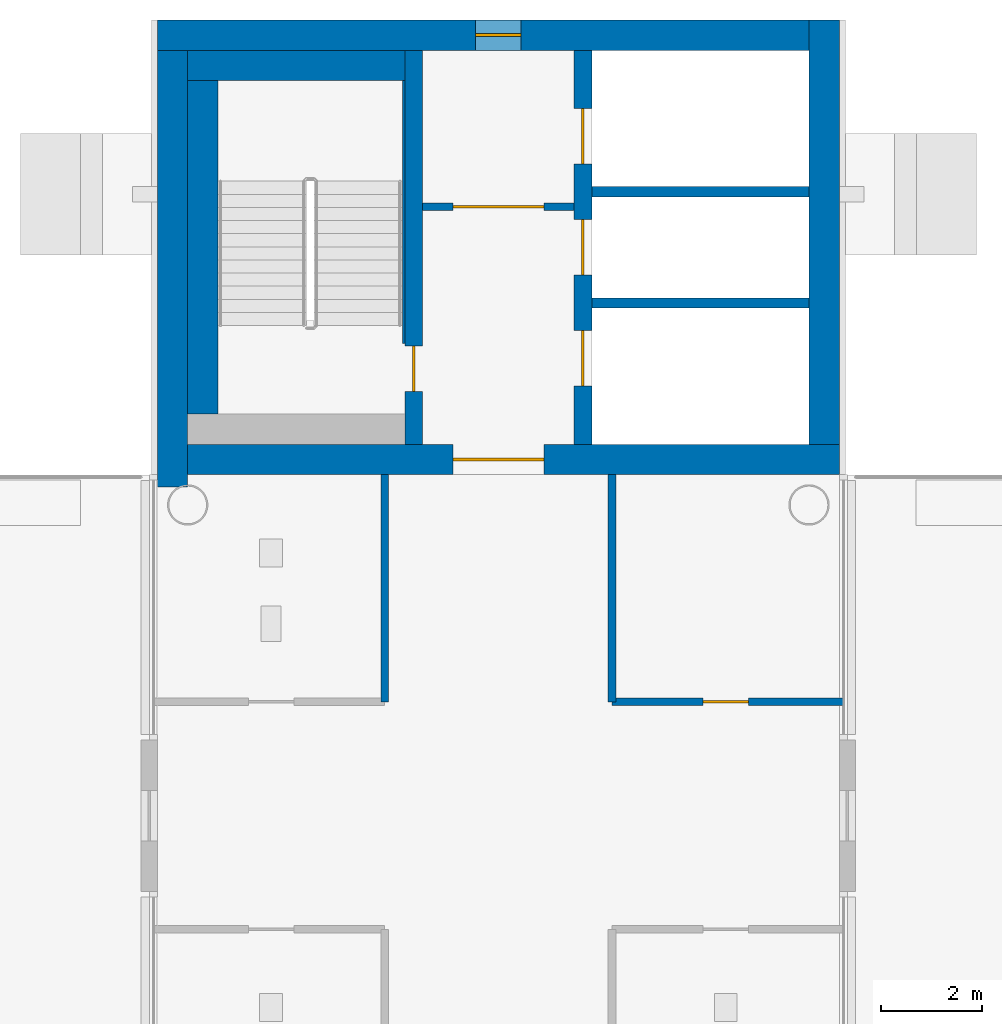
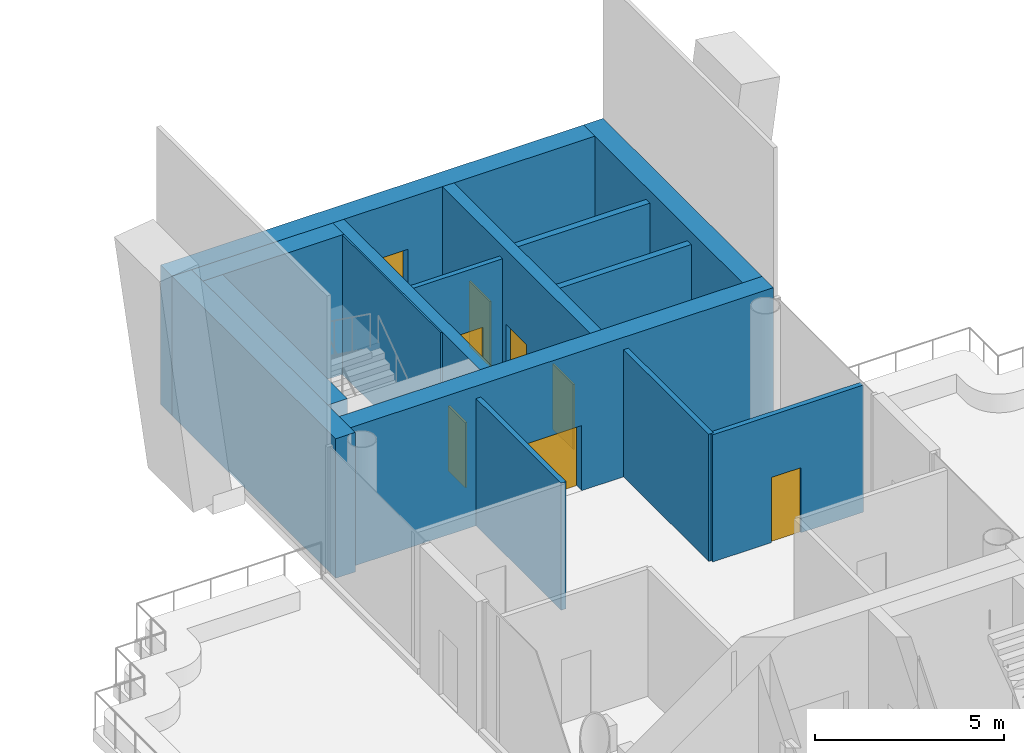
# One storey, part 9 of 17: 15 walls, 7 doors, 1 window, 8 openings.
"""IFC4 building model written with IfcOpenShell, lengths in metres."""

from ifc_helpers import new_model, si_unit, direction, frame, frame_2d, origin, place, context, subcontext, project, spatial, rectangle, extrude, material, layer, layer_set, type_object, element, fill, save


model = new_model("IFC4")

# Units and contexts
model_context = context("Model", 3, precision=1e-05, world=origin(), true_north=direction((0.0, 1.0)))
body_context = subcontext(model_context, "Body", "Model", "MODEL_VIEW")
ifc_project = project(units=[si_unit("LENGTHUNIT", "METRE"), si_unit("AREAUNIT", "SQUARE_METRE"), si_unit("VOLUMEUNIT", "CUBIC_METRE"), si_unit("PLANEANGLEUNIT", "RADIAN"), si_unit("MASSUNIT", "GRAM", prefix="KILO")], contexts=[model_context])

# Site, building, storey
site_placement = place(None, origin())
site = spatial("IfcSite", under=ifc_project, at=site_placement, CompositionType="ELEMENT")
building_placement = place(site_placement, origin())
building = spatial("IfcBuilding", under=site, at=building_placement, Name="Ipe Terrace Towers", CompositionType="ELEMENT")
storey_placement = place(building_placement, frame((0.0, 0.0, 246.89990234375)))
storey = spatial("IfcBuildingStorey", under=building, at=storey_placement, Name="L68", CompositionType="ELEMENT", Elevation=246.89990234375)

# Wall, opening, door
ifc_material_1 = material(Name="Gypsum board partition", Category="plasterboard")
ifc_layer_1 = layer(ifc_material_1, 0.14990234375)
ifc_layer_set_1 = layer_set([ifc_layer_1], Name="Gypsum board partition 150 mm")
wall_type_1 = type_object("IfcWallType", Name="Gypsum board partition 150 mm", PredefinedType="PARTITIONING", material=ifc_layer_set_1)
wall_1_placement = place(storey_placement, frame((37.5, 12.050048828125, 0.0), z_axis=(0.0, 0.0, 1.0), x_axis=(-1.0, 0.0, 0.0)))
wall_1 = element("IfcWall", 1, at=wall_1_placement, inside=storey, type_object=wall_type_1, Name="Gypsum board partition T2 L68 t2c1-lobby-wall", PredefinedType="PARTITIONING", context=body_context, shape_type="SweptSolid", body=[
    extrude(rectangle(XDim=3.0, YDim=0.14990234375, at=frame_2d((1.5, 0.0))), origin(), (0.0, 0.0, 1.0), 4.10009765625),
])
opening_1_placement = place(wall_1_placement, frame((0.60009765625, 0.0, 0.0)))
opening_1 = element("IfcOpeningElement", 2, at=opening_1_placement, cuts=wall_1, Name="Opening T2C1-VD", PredefinedType="OPENING", context=body_context, shape_type="SweptSolid", body=[
    extrude(rectangle(XDim=1.800048828125, YDim=2.10009765625, at=frame_2d((0.89990234375, 1.050048828125))), frame((0.0, 0.0849609375, 0.0), z_axis=(0.0, -1.0, 0.0), x_axis=(1.0, 0.0, 0.0)), (0.0, 0.0, 1.0), 0.169921875),
])
ifc_material_2 = material(Name="Fire-rated timber door leaf", Category="wood")
door_type_1 = type_object("IfcDoorType", Name="Lobby door 1800 x 2100 FD60", OperationType="NOTDEFINED", PredefinedType="DOOR", material=ifc_material_2)
door_1_placement = place(opening_1_placement, origin())
door_1 = element("IfcDoor", 3, at=door_1_placement, inside=storey, type_object=door_type_1, Name="Lobby door T2C1-VD", OperationType="SINGLE_SWING_LEFT", OverallHeight=2.10009765625, OverallWidth=1.800048828125, PredefinedType="DOOR", context=body_context, shape_type="SweptSolid", body=[
    extrude(rectangle(XDim=1.800048828125, YDim=2.10009765625, at=frame_2d((0.89990234375, 1.050048828125))), frame((0.0, 0.02490234375, 0.0), z_axis=(0.0, -1.0, 0.0), x_axis=(1.0, 0.0, 0.0)), (0.0, 0.0, 1.0), 0.050048828125),
])
fill(opening_1, door_1)

# Wall
wall_2_placement = place(storey_placement, frame((33.75, 2.25, 0.0), z_axis=(0.0, 0.0, 1.0), x_axis=(0.0, 1.0, 0.0)))
element("IfcWall", 4, at=wall_2_placement, inside=storey, type_object=wall_type_1, Name="Gypsum board partition T2 L68 sp-cne-y", PredefinedType="PARTITIONING", context=body_context, shape_type="SweptSolid", body=[
    extrude(rectangle(XDim=4.5, YDim=0.14990234375, at=frame_2d((2.25, 0.0))), origin(), (0.0, 0.0, 1.0), 4.10009765625),
])

# Wall, opening, door
wall_3_placement = place(storey_placement, frame((42.85009765625, 2.25, 0.0), z_axis=(0.0, 0.0, 1.0), x_axis=(-1.0, 0.0, 0.0)))
wall_3 = element("IfcWall", 5, at=wall_3_placement, inside=storey, type_object=wall_type_1, Name="Gypsum board partition T2 L68 sp-cse-x", PredefinedType="PARTITIONING", context=body_context, shape_type="SweptSolid", body=[
    extrude(rectangle(XDim=4.60009765625, YDim=0.14990234375, at=frame_2d((2.300048828125, 0.0))), origin(), (0.0, 0.0, 1.0), 4.10009765625),
])
opening_2_placement = place(wall_3_placement, frame((1.89990234375, 0.0, 0.0)))
opening_2 = element("IfcOpeningElement", 6, at=opening_2_placement, cuts=wall_3, Name="Opening T2-SP-CSE", PredefinedType="OPENING", context=body_context, shape_type="SweptSolid", body=[
    extrude(rectangle(XDim=0.89990234375, YDim=2.10009765625, at=frame_2d((0.449951171875, 1.050048828125))), frame((0.0, 0.0849609375, 0.0), z_axis=(0.0, -1.0, 0.0), x_axis=(1.0, 0.0, 0.0)), (0.0, 0.0, 1.0), 0.169921875),
])
ifc_material_3 = material(Name="Timber door leaf", Category="wood")
door_type_2 = type_object("IfcDoorType", Name="Service door 900 x 2100", OperationType="NOTDEFINED", PredefinedType="DOOR", material=ifc_material_3)
door_2_placement = place(opening_2_placement, origin())
door_2 = element("IfcDoor", 7, at=door_2_placement, inside=storey, type_object=door_type_2, Name="Service door T2-SP-CSE", OperationType="SINGLE_SWING_RIGHT", OverallHeight=2.10009765625, OverallWidth=0.89990234375, PredefinedType="DOOR", context=body_context, shape_type="SweptSolid", body=[
    extrude(rectangle(XDim=0.89990234375, YDim=2.10009765625, at=frame_2d((0.449951171875, 1.050048828125))), frame((0.0, 0.02490234375, 0.0), z_axis=(0.0, -1.0, 0.0), x_axis=(1.0, 0.0, 0.0)), (0.0, 0.0, 1.0), 0.050048828125),
])
fill(opening_2, door_2)

# Walls
wall_4_placement = place(storey_placement, frame((38.25, 2.25, 0.0), z_axis=(0.0, 0.0, 1.0), x_axis=(0.0, 1.0, 0.0)))
element("IfcWall", 8, at=wall_4_placement, inside=storey, type_object=wall_type_1, Name="Gypsum board partition T2 L68 sp-cse-y", PredefinedType="PARTITIONING", context=body_context, shape_type="SweptSolid", body=[
    extrude(rectangle(XDim=4.5, YDim=0.14990234375, at=frame_2d((2.25, 0.0))), origin(), (0.0, 0.0, 1.0), 4.10009765625),
])
ifc_material_4 = material(Name="Gypsum board party wall", Category="plasterboard")
ifc_layer_2 = layer(ifc_material_4, 0.199951171875)
ifc_layer_set_2 = layer_set([ifc_layer_2], Name="Gypsum board party wall 200 mm")
wall_type_2 = type_object("IfcWallType", Name="Gypsum board party wall 200 mm", PredefinedType="SOLIDWALL", material=ifc_layer_set_2)
for number, where, z_axis, x_axis, name in (
    (9, (42.14990234375, 10.14990234375, 0.0), (0.0, 0.0, 1.0), (-1.0, 0.0, 0.0), "Gypsum board party wall T2 L68 t2c1-shaft-div1"),
    (10, (42.14990234375, 12.35009765625, 0.0), (0.0, 0.0, 1.0), (-1.0, 0.0, 0.0), "Gypsum board party wall T2 L68 t2c1-shaft-div2"),
):
    element("IfcWall", number, at=place(storey_placement, frame(where, z_axis=z_axis, x_axis=x_axis)), inside=storey, type_object=wall_type_2, Name=name, PredefinedType="SOLIDWALL", context=body_context, shape_type="SweptSolid", body=[
        extrude(rectangle(XDim=4.2998046875, YDim=0.199951171875, at=frame_2d((2.14990234375, 0.0))), origin(), (0.0, 0.0, 1.0), 4.10009765625),
    ])

# Wall, opening, door
ifc_material_5 = material(Name="Concrete C40/50", Category="concrete")
ifc_layer_3 = layer(ifc_material_5, 0.35009765625)
ifc_layer_set_3 = layer_set([ifc_layer_3], Name="RW350 CORE SPINE WALL 350 C40-50")
wall_type_3 = type_object("IfcWallType", Name="RW350 CORE SPINE WALL 350 C40-50", PredefinedType="SHEAR", material=ifc_layer_set_3)
wall_5_placement = place(storey_placement, frame((34.324951171875, 7.35009765625, 0.0), z_axis=(0.0, 0.0, 1.0), x_axis=(0.0, 1.0, 0.0)))
wall_5 = element("IfcWall", 11, at=wall_5_placement, inside=storey, type_object=wall_type_3, Name="Core spine wall T2-C1-Z4-SW1", PredefinedType="SHEAR", context=body_context, shape_type="SweptSolid", body=[
    extrude(rectangle(XDim=7.7998046875, YDim=0.35009765625, at=frame_2d((3.89990234375, 0.0))), origin(), (0.0, 0.0, 1.0), 4.5),
])
opening_3_placement = place(wall_5_placement, frame((1.050048828125, 0.0, 0.0)))
opening_3 = element("IfcOpeningElement", 12, at=opening_3_placement, cuts=wall_5, Name="Opening T2C1-SD", PredefinedType="OPENING", context=body_context, shape_type="SweptSolid", body=[
    extrude(rectangle(XDim=0.89990234375, YDim=2.10009765625, at=frame_2d((0.449951171875, 1.050048828125))), frame((0.0, 0.18505859375, 0.0), z_axis=(0.0, -1.0, 0.0), x_axis=(1.0, 0.0, 0.0)), (0.0, 0.0, 1.0), 0.3701171875),
])
ifc_material_6 = material(Name="Fire-rated timber door leaf", Category="wood")
door_type_3 = type_object("IfcDoorType", Name="Stair door 900 x 2100 FD60", OperationType="NOTDEFINED", PredefinedType="DOOR", material=ifc_material_6)
door_3_placement = place(opening_3_placement, origin())
door_3 = element("IfcDoor", 13, at=door_3_placement, inside=storey, type_object=door_type_3, Name="Stair door T2C1-SD", OperationType="SINGLE_SWING_LEFT", OverallHeight=2.10009765625, OverallWidth=0.89990234375, PredefinedType="DOOR", context=body_context, shape_type="SweptSolid", body=[
    extrude(rectangle(XDim=0.89990234375, YDim=2.10009765625, at=frame_2d((0.449951171875, 1.050048828125))), frame((0.0, 0.02490234375, 0.0), z_axis=(0.0, -1.0, 0.0), x_axis=(1.0, 0.0, 0.0)), (0.0, 0.0, 1.0), 0.050048828125),
])
fill(opening_3, door_3)

# Wall, openings, doors
wall_6_placement = place(storey_placement, frame((37.675048828125, 7.35009765625, 0.0), z_axis=(0.0, 0.0, 1.0), x_axis=(0.0, 1.0, 0.0)))
wall_6 = element("IfcWall", 14, at=wall_6_placement, inside=storey, type_object=wall_type_3, Name="Core spine wall T2-C1-Z4-SW2", PredefinedType="SHEAR", context=body_context, shape_type="SweptSolid", body=[
    extrude(rectangle(XDim=7.7998046875, YDim=0.35009765625, at=frame_2d((3.89990234375, 0.0))), origin(), (0.0, 0.0, 1.0), 4.5),
])
opening_4_placement = place(wall_6_placement, frame((1.14990234375, 0.0, 0.0)))
opening_4 = element("IfcOpeningElement", 15, at=opening_4_placement, cuts=wall_6, Name="Opening T2C1-LD1", PredefinedType="OPENING", context=body_context, shape_type="SweptSolid", body=[
    extrude(rectangle(XDim=1.10009765625, YDim=2.10009765625, at=frame_2d((0.550048828125, 1.050048828125))), frame((0.0, 0.18505859375, 0.0), z_axis=(0.0, -1.0, 0.0), x_axis=(1.0, 0.0, 0.0)), (0.0, 0.0, 1.0), 0.3701171875),
])
opening_5_placement = place(wall_6_placement, frame((3.35009765625, 0.0, 0.0)))
opening_5 = element("IfcOpeningElement", 16, at=opening_5_placement, cuts=wall_6, Name="Opening T2C1-LD2", PredefinedType="OPENING", context=body_context, shape_type="SweptSolid", body=[
    extrude(rectangle(XDim=1.10009765625, YDim=2.10009765625, at=frame_2d((0.550048828125, 1.050048828125))), frame((0.0, 0.18505859375, 0.0), z_axis=(0.0, -1.0, 0.0), x_axis=(1.0, 0.0, 0.0)), (0.0, 0.0, 1.0), 0.3701171875),
])
opening_6_placement = place(wall_6_placement, frame((5.550048828125, 0.0, 0.0)))
opening_6 = element("IfcOpeningElement", 17, at=opening_6_placement, cuts=wall_6, Name="Opening T2C1-LD3", PredefinedType="OPENING", context=body_context, shape_type="SweptSolid", body=[
    extrude(rectangle(XDim=1.10009765625, YDim=2.10009765625, at=frame_2d((0.550048828125, 1.050048828125))), frame((0.0, 0.18505859375, 0.0), z_axis=(0.0, -1.0, 0.0), x_axis=(1.0, 0.0, 0.0)), (0.0, 0.0, 1.0), 0.3701171875),
])
ifc_material_7 = material(Name="Fire-rated timber door leaf", Category="wood")
door_type_4 = type_object("IfcDoorType", Name="Sliding door 1100 x 2100 FD60", OperationType="SLIDING_TO_LEFT", PredefinedType="DOOR", material=ifc_material_7)
door_4_placement = place(opening_4_placement, origin())
door_4 = element("IfcDoor", 18, at=door_4_placement, inside=storey, type_object=door_type_4, Name="Sliding door T2C1-LD1", OperationType="SLIDING_TO_LEFT", OverallHeight=2.10009765625, OverallWidth=1.10009765625, PredefinedType="DOOR", context=body_context, shape_type="SweptSolid", body=[
    extrude(rectangle(XDim=1.10009765625, YDim=2.10009765625, at=frame_2d((0.550048828125, 1.050048828125))), frame((0.0, 0.02490234375, 0.0), z_axis=(0.0, -1.0, 0.0), x_axis=(1.0, 0.0, 0.0)), (0.0, 0.0, 1.0), 0.050048828125),
])
fill(opening_4, door_4)
door_5_placement = place(opening_5_placement, origin())
door_5 = element("IfcDoor", 19, at=door_5_placement, inside=storey, type_object=door_type_4, Name="Sliding door T2C1-LD2", OperationType="SLIDING_TO_LEFT", OverallHeight=2.10009765625, OverallWidth=1.10009765625, PredefinedType="DOOR", context=body_context, shape_type="SweptSolid", body=[
    extrude(rectangle(XDim=1.10009765625, YDim=2.10009765625, at=frame_2d((0.550048828125, 1.050048828125))), frame((0.0, 0.02490234375, 0.0), z_axis=(0.0, -1.0, 0.0), x_axis=(1.0, 0.0, 0.0)), (0.0, 0.0, 1.0), 0.050048828125),
])
fill(opening_5, door_5)
door_6_placement = place(opening_6_placement, origin())
door_6 = element("IfcDoor", 20, at=door_6_placement, inside=storey, type_object=door_type_4, Name="Sliding door T2C1-LD3", OperationType="SLIDING_TO_LEFT", OverallHeight=2.10009765625, OverallWidth=1.10009765625, PredefinedType="DOOR", context=body_context, shape_type="SweptSolid", body=[
    extrude(rectangle(XDim=1.10009765625, YDim=2.10009765625, at=frame_2d((0.550048828125, 1.050048828125))), frame((0.0, 0.02490234375, 0.0), z_axis=(0.0, -1.0, 0.0), x_axis=(1.0, 0.0, 0.0)), (0.0, 0.0, 1.0), 0.050048828125),
])
fill(opening_6, door_6)

# Walls
ifc_material_8 = material(Name="Concrete C40/50", Category="concrete")
ifc_layer_4 = layer(ifc_material_8, 0.050048828125)
ifc_layer_set_4 = layer_set([ifc_layer_4], Name="RW50 CORE INFILL WALL 50 C40-50")
wall_type_4 = type_object("IfcWallType", Name="RW50 CORE INFILL WALL 50 C40-50", PredefinedType="SHEAR", material=ifc_layer_set_4)
wall_7_placement = place(storey_placement, frame((34.125, 9.35009765625, 0.0), z_axis=(0.0, 0.0, 1.0), x_axis=(0.0, 1.0, 0.0)))
element("IfcWall", 21, at=wall_7_placement, inside=storey, type_object=wall_type_4, Name="Core infill wall T2-C1-spine-b", PredefinedType="SHEAR", context=body_context, shape_type="SweptSolid", body=[
    extrude(rectangle(XDim=5.199951171875, YDim=0.050048828125, at=frame_2d((2.60009765625, 0.0))), origin(), (0.0, 0.0, 1.0), 4.5),
])
ifc_material_9 = material(Name="Concrete C40/50", Category="concrete")
ifc_layer_5 = layer(ifc_material_9, 0.60009765625)
ifc_layer_set_5 = layer_set([ifc_layer_5], Name="RW600 CORE INFILL WALL 600 C40-50")
wall_type_5 = type_object("IfcWallType", Name="RW600 CORE INFILL WALL 600 C40-50", PredefinedType="SHEAR", material=ifc_layer_set_5)
wall_8_placement = place(storey_placement, frame((34.14990234375, 14.85009765625, 0.0), z_axis=(0.0, 0.0, 1.0), x_axis=(-1.0, 0.0, 0.0)))
element("IfcWall", 22, at=wall_8_placement, inside=storey, type_object=wall_type_5, Name="Core infill wall T2-C1-far", PredefinedType="SHEAR", context=body_context, shape_type="SweptSolid", body=[
    extrude(rectangle(XDim=4.2998046875, YDim=0.60009765625, at=frame_2d((2.14990234375, 0.0))), origin(), (0.0, 0.0, 1.0), 4.5),
])
wall_9_placement = place(storey_placement, frame((30.14990234375, 7.949951171875, 0.0), z_axis=(0.0, 0.0, 1.0), x_axis=(0.0, 1.0, 0.0)))
element("IfcWall", 23, at=wall_9_placement, inside=storey, type_object=wall_type_5, Name="Core infill wall T2-C1-back", PredefinedType="SHEAR", context=body_context, shape_type="SweptSolid", body=[
    extrude(rectangle(XDim=6.60009765625, YDim=0.60009765625, at=frame_2d((3.300048828125, 0.0))), origin(), (0.0, 0.0, 1.0), 4.5),
])

# Wall, opening, door
ifc_material_10 = material(Name="Concrete C40/50", Category="concrete")
ifc_layer_6 = layer(ifc_material_10, 0.60009765625)
ifc_layer_set_6 = layer_set([ifc_layer_6], Name="RW600 CORE WALL 600 C40-50")
wall_type_6 = type_object("IfcWallType", Name="RW600 CORE WALL 600 C40-50", PredefinedType="SHEAR", material=ifc_layer_set_6)
wall_10_placement = place(storey_placement, frame((29.85009765625, 7.050048828125, 0.0), z_axis=(0.0, 0.0, 1.0), x_axis=(1.0, 0.0, 0.0)))
wall_10 = element("IfcWall", 24, at=wall_10_placement, inside=storey, type_object=wall_type_6, Name="Core wall T2-C1-Z4-W01", PredefinedType="SHEAR", context=body_context, shape_type="SweptSolid", body=[
    extrude(rectangle(XDim=12.89990234375, YDim=0.60009765625, at=frame_2d((6.449951171875, 0.0))), origin(), (0.0, 0.0, 1.0), 4.5),
])
opening_7_placement = place(wall_10_placement, frame((5.25, 0.0, 0.0)))
opening_7 = element("IfcOpeningElement", 25, at=opening_7_placement, cuts=wall_10, Name="Opening T2C1-ND", PredefinedType="OPENING", context=body_context, shape_type="SweptSolid", body=[
    extrude(rectangle(XDim=1.800048828125, YDim=2.10009765625, at=frame_2d((0.89990234375, 1.050048828125))), frame((0.0, 0.31005859375, 0.0), z_axis=(0.0, -1.0, 0.0), x_axis=(1.0, 0.0, 0.0)), (0.0, 0.0, 1.0), 0.6201171875),
])
ifc_material_11 = material(Name="Fire-rated timber door leaf", Category="wood")
door_type_5 = type_object("IfcDoorType", Name="Fire door 1800 x 2100 FD30S", OperationType="NOTDEFINED", PredefinedType="DOOR", material=ifc_material_11)
door_7_placement = place(opening_7_placement, origin())
door_7 = element("IfcDoor", 26, at=door_7_placement, inside=storey, type_object=door_type_5, Name="Fire door T2C1-ND", OperationType="SINGLE_SWING_LEFT", OverallHeight=2.10009765625, OverallWidth=1.800048828125, PredefinedType="DOOR", context=body_context, shape_type="SweptSolid", body=[
    extrude(rectangle(XDim=1.800048828125, YDim=2.10009765625, at=frame_2d((0.89990234375, 1.050048828125))), frame((0.0, 0.02490234375, 0.0), z_axis=(0.0, -1.0, 0.0), x_axis=(1.0, 0.0, 0.0)), (0.0, 0.0, 1.0), 0.050048828125),
])
fill(opening_7, door_7)

# Wall
wall_11_placement = place(storey_placement, frame((42.449951171875, 7.35009765625, 0.0), z_axis=(0.0, 0.0, 1.0), x_axis=(0.0, 1.0, 0.0)))
element("IfcWall", 27, at=wall_11_placement, inside=storey, type_object=wall_type_6, Name="Core wall T2-C1-Z4-W02", PredefinedType="SHEAR", context=body_context, shape_type="SweptSolid", body=[
    extrude(rectangle(XDim=8.39990234375, YDim=0.60009765625, at=frame_2d((4.199951171875, 0.0))), origin(), (0.0, 0.0, 1.0), 4.5),
])

# Wall, opening, window
wall_12_placement = place(storey_placement, frame((42.14990234375, 15.449951171875, 0.0), z_axis=(0.0, 0.0, 1.0), x_axis=(-1.0, 0.0, 0.0)))
wall_12 = element("IfcWall", 28, at=wall_12_placement, inside=storey, type_object=wall_type_6, Name="Core wall T2-C1-Z4-W03", PredefinedType="SHEAR", context=body_context, shape_type="SweptSolid", body=[
    extrude(rectangle(XDim=12.89990234375, YDim=0.60009765625, at=frame_2d((6.449951171875, 0.0))), origin(), (0.0, 0.0, 1.0), 4.5),
])
opening_8_placement = place(wall_12_placement, frame((5.699951171875, 0.0, 0.449951171875)))
opening_8 = element("IfcOpeningElement", 29, at=opening_8_placement, cuts=wall_12, Name="Opening T2-C1-W-01-L68", PredefinedType="OPENING", context=body_context, shape_type="SweptSolid", body=[
    extrude(rectangle(XDim=0.89990234375, YDim=2.39990234375, at=frame_2d((0.449951171875, 1.199951171875))), frame((0.0, 0.31005859375, 0.0), z_axis=(0.0, -1.0, 0.0), x_axis=(1.0, 0.0, 0.0)), (0.0, 0.0, 1.0), 0.6201171875),
])
ifc_material_12 = material(Name="Fire-resistant glazing EI 60", Category="glass")
window_type = type_object("IfcWindowType", Name="CORRIDOR END SLOT WINDOW 900 x 2400 EI 60", PartitioningType="SINGLE_PANEL", PredefinedType="WINDOW", material=ifc_material_12)
window_placement = place(opening_8_placement, origin())
window = element("IfcWindow", 30, at=window_placement, inside=storey, type_object=window_type, Name="W-01 window", OverallHeight=2.39990234375, OverallWidth=0.89990234375, PartitioningType="SINGLE_PANEL", PredefinedType="WINDOW", context=body_context, shape_type="SweptSolid", body=[
    extrude(rectangle(XDim=0.89990234375, YDim=2.39990234375, at=frame_2d((0.449951171875, 1.199951171875))), frame((0.0, 0.030029296875, 0.0), z_axis=(0.0, -1.0, 0.0), x_axis=(1.0, 0.0, 0.0)), (0.0, 0.0, 1.0), 0.06005859375),
])
fill(opening_8, window)

# Wall
wall_13_placement = place(storey_placement, frame((29.550048828125, 15.14990234375, 0.0), z_axis=(0.0, 0.0, 1.0), x_axis=(0.0, -1.0, 0.0)))
element("IfcWall", 31, at=wall_13_placement, inside=storey, type_object=wall_type_6, Name="Core wall T2-C1-Z4-W04", PredefinedType="SHEAR", context=body_context, shape_type="SweptSolid", body=[
    extrude(rectangle(XDim=8.64794921875, YDim=0.60009765625, at=frame_2d((4.323974609375, 0.0))), origin(), (0.0, 0.0, 1.0), 4.5),
])

save(model, "model.ifc")
